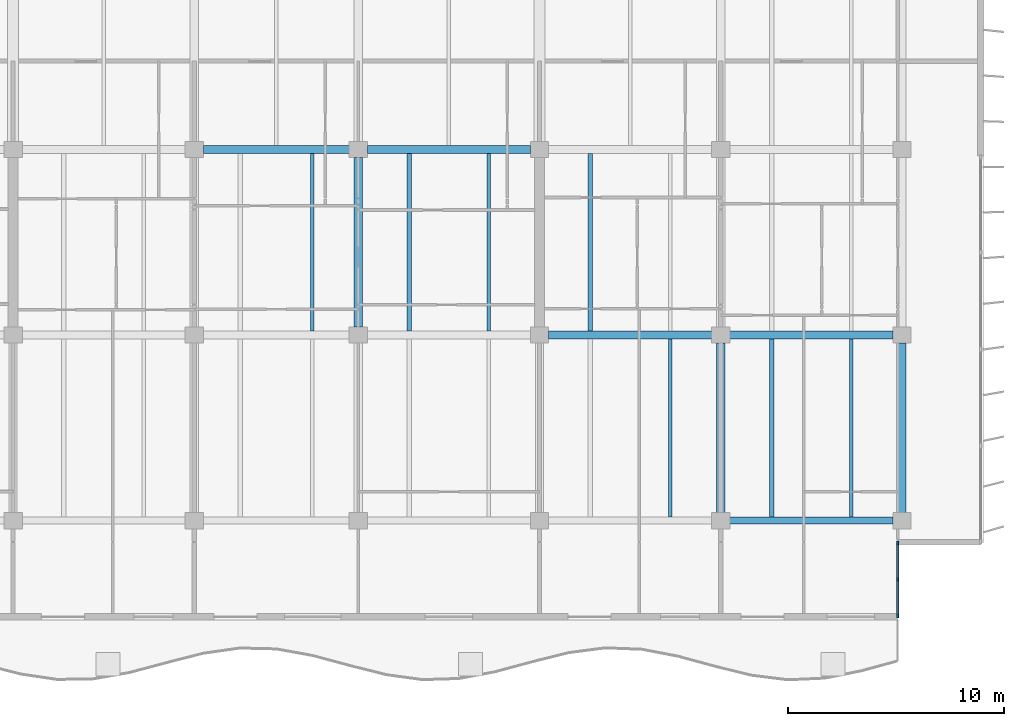
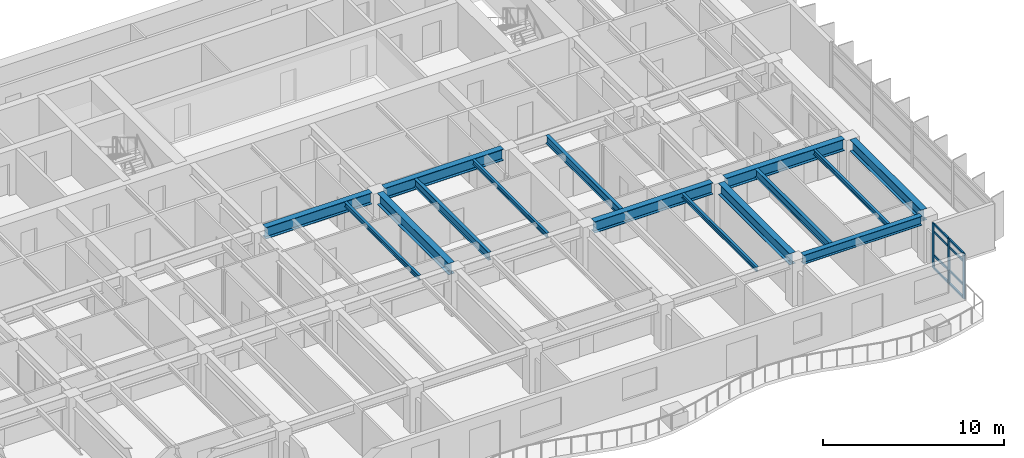
# One storey, part 4 of 19: 15 beams, 11 members, 1 element without a shape of its own.
"""IFC4 building model written with IfcOpenShell, lengths in metres."""

from ifc_helpers import new_model, si_unit, direction, frame, origin, origin_2d, place, context, subcontext, project, spatial, rectangle, i_section, extrude, material, layer, layer_set, material_profile, profile_set, type_object, element, aggregate, save


model = new_model("IFC4")

# Units and contexts
model_context = context("Model", 3, precision=1e-05, world=origin(), true_north=direction((0.0, 1.0)))
body_context = subcontext(model_context, "Body", "Model", "MODEL_VIEW")
ifc_project = project(units=[si_unit("LENGTHUNIT", "METRE"), si_unit("AREAUNIT", "SQUARE_METRE"), si_unit("VOLUMEUNIT", "CUBIC_METRE"), si_unit("PLANEANGLEUNIT", "RADIAN"), si_unit("MASSUNIT", "GRAM", prefix="KILO")], contexts=[model_context])

# Site, building, storey
site_placement = place(None, origin())
site = spatial("IfcSite", under=ifc_project, at=site_placement, CompositionType="ELEMENT")
building_placement = place(site_placement, origin())
building = spatial("IfcBuilding", under=site, at=building_placement, Name="Caelmar Bay Residences", CompositionType="ELEMENT")
storey_placement = place(building_placement, frame((0.0, 0.0, 195.0)))
storey = spatial("IfcBuildingStorey", under=building, at=storey_placement, Name="L54", CompositionType="ELEMENT", Elevation=195.0)

# Beams
ifc_material_1 = material(Name="Steel ASTM A992 Grade 50", Category="steel")
ifc_material_profile_1 = material_profile(ifc_material_1, i_section(OverallWidth=0.381103515625, OverallDepth=0.77197265625, WebThickness=0.0166015625, FlangeThickness=0.027099609375, FilletRadius=0.0166015625, at=origin_2d()), Name="W30X173")
ifc_profile_set_1 = profile_set([ifc_material_profile_1], Name="Steel ASTM A992 Grade 50")
beam_type_1 = type_object("IfcBeamType", Name="BM-GRD-W30X173", PredefinedType="BEAM", material=ifc_profile_set_1)
for number, where, z_axis, x_axis, name in (
    (1, (51.514892578125, 20.800048828125, 2.6640625), (1.0, 0.0, 0.0), (0.0, 1.0, 0.0), "L54 East-West Girder Y=20.80 (51.1-59.5)"),
    (2, (59.9150390625, 20.800048828125, 2.6640625), (1.0, 0.0, 0.0), (0.0, 1.0, 0.0), "L54 East-West Girder Y=20.80 (59.5-67.9)"),
):
    element("IfcBeam", number, at=place(storey_placement, frame(where, z_axis=z_axis, x_axis=x_axis)), inside=storey, type_object=beam_type_1, Name=name, PredefinedType="BEAM", context=body_context, shape_type="SweptSolid", body=[
        extrude(i_section(OverallWidth=0.381103515625, OverallDepth=0.77197265625, WebThickness=0.0166015625, FlangeThickness=0.027099609375, FilletRadius=0.0166015625, at=origin_2d()), origin(), (0.0, 0.0, 1.0), 7.570068359375),
    ])
beam_1_placement = place(storey_placement, frame((35.514892578125, 29.39990234375, 2.6640625), z_axis=(1.0, 0.0, 0.0), x_axis=(0.0, 1.0, 0.0)))
element("IfcBeam", 3, at=beam_1_placement, inside=storey, type_object=beam_type_1, Name="L54 East-West Girder Y=29.40 (35.1-42.7)", PredefinedType="BEAM", context=body_context, shape_type="SweptSolid", body=[
    extrude(i_section(OverallWidth=0.381103515625, OverallDepth=0.77197265625, WebThickness=0.0166015625, FlangeThickness=0.027099609375, FilletRadius=0.0166015625, at=origin_2d()), origin(), (0.0, 0.0, 1.0), 6.77001953125),
])
beam_2_placement = place(storey_placement, frame((43.114990234375, 29.39990234375, 2.6640625), z_axis=(1.0, 0.0, 0.0), x_axis=(0.0, 1.0, 0.0)))
element("IfcBeam", 4, at=beam_2_placement, inside=storey, type_object=beam_type_1, Name="L54 East-West Girder Y=29.40 (42.7-51.1)", PredefinedType="BEAM", context=body_context, shape_type="SweptSolid", body=[
    extrude(i_section(OverallWidth=0.381103515625, OverallDepth=0.77197265625, WebThickness=0.0166015625, FlangeThickness=0.027099609375, FilletRadius=0.0166015625, at=origin_2d()), origin(), (0.0, 0.0, 1.0), 7.570068359375),
])
beam_3_placement = place(storey_placement, frame((42.699951171875, 21.1650390625, 2.6640625), z_axis=(0.0, 1.0, 0.0), x_axis=(-1.0, 0.0, 0.0)))
element("IfcBeam", 5, at=beam_3_placement, inside=storey, type_object=beam_type_1, Name="L54 North-South Girder X=42.70 (20.8-29.4)", PredefinedType="BEAM", context=body_context, shape_type="SweptSolid", body=[
    extrude(i_section(OverallWidth=0.381103515625, OverallDepth=0.77197265625, WebThickness=0.0166015625, FlangeThickness=0.027099609375, FilletRadius=0.0166015625, at=origin_2d()), origin(), (0.0, 0.0, 1.0), 7.869873046875),
])
for number, where, z_axis, x_axis, name in (
    (6, (59.5, 12.56494140625, 2.6640625), (0.0, 1.0, 0.0), (-1.0, 0.0, 0.0), "L54 North-South Girder X=59.50 (12.2-20.8)"),
    (7, (67.89990234375, 12.56494140625, 2.6640625), (0.0, 1.0, 0.0), (-1.0, 0.0, 0.0), "L54 North-South Girder X=67.90 (12.2-20.8)"),
):
    element("IfcBeam", number, at=place(storey_placement, frame(where, z_axis=z_axis, x_axis=x_axis)), inside=storey, type_object=beam_type_1, Name=name, PredefinedType="BEAM", context=body_context, shape_type="SweptSolid", body=[
        extrude(i_section(OverallWidth=0.381103515625, OverallDepth=0.77197265625, WebThickness=0.0166015625, FlangeThickness=0.027099609375, FilletRadius=0.0166015625, at=origin_2d()), origin(), (0.0, 0.0, 1.0), 7.8701171875),
    ])
ifc_material_profile_2 = material_profile(ifc_material_1, i_section(OverallWidth=0.1650390625, OverallDepth=0.31005859375, WebThickness=0.005859375, FlangeThickness=0.009765625, FilletRadius=0.007568359375, at=origin_2d()), Name="W12X26")
ifc_profile_set_2 = profile_set([ifc_material_profile_2], Name="Steel ASTM A992 Grade 50")
beam_type_2 = type_object("IfcBeamType", Name="BM-JST-W12X26", PredefinedType="JOIST", material=ifc_profile_set_2)
for number, where, z_axis, x_axis, name in (
    (8, (57.14794921875, 12.362548828125, 2.89501953125), (0.0, 1.0, 0.0), (-1.0, 0.0, 0.0), "L54 Composite Floor Joist 12"),
    (9, (65.548095703125, 12.362548828125, 2.89501953125), (0.0, 1.0, 0.0), (-1.0, 0.0, 0.0), "L54 Composite Floor Joist 14"),
):
    element("IfcBeam", number, at=place(storey_placement, frame(where, z_axis=z_axis, x_axis=x_axis)), inside=storey, type_object=beam_type_2, Name=name, PredefinedType="JOIST", context=body_context, shape_type="SweptSolid", body=[
        extrude(i_section(OverallWidth=0.1650390625, OverallDepth=0.31005859375, WebThickness=0.005859375, FlangeThickness=0.009765625, FilletRadius=0.007568359375, at=origin_2d()), origin(), (0.0, 0.0, 1.0), 8.2470703125),
    ])
for number, where, z_axis, x_axis, name in (
    (10, (40.572021484375, 20.990478515625, 2.89501953125), (0.0, 1.0, 0.0), (-1.0, 0.0, 0.0), "L54 Composite Floor Joist 22"),
    (11, (48.748046875, 20.990478515625, 2.89501953125), (0.0, 1.0, 0.0), (-1.0, 0.0, 0.0), "L54 Composite Floor Joist 24"),
):
    element("IfcBeam", number, at=place(storey_placement, frame(where, z_axis=z_axis, x_axis=x_axis)), inside=storey, type_object=beam_type_2, Name=name, PredefinedType="JOIST", context=body_context, shape_type="SweptSolid", body=[
        extrude(i_section(OverallWidth=0.1650390625, OverallDepth=0.31005859375, WebThickness=0.005859375, FlangeThickness=0.009765625, FilletRadius=0.007568359375, at=origin_2d()), origin(), (0.0, 0.0, 1.0), 8.218994140625),
    ])
ifc_material_profile_3 = material_profile(ifc_material_1, i_section(OverallWidth=0.2099609375, OverallDepth=0.535888671875, WebThickness=0.010986328125, FlangeThickness=0.017333984375, FilletRadius=0.0126953125, at=origin_2d()), Name="W21X68")
ifc_profile_set_3 = profile_set([ifc_material_profile_3], Name="Steel ASTM A992 Grade 50")
beam_type_3 = type_object("IfcBeamType", Name="BM-JST-W21X68", PredefinedType="JOIST", material=ifc_profile_set_3)
beam_4_placement = place(storey_placement, frame((61.85205078125, 12.362548828125, 2.781982421875), z_axis=(0.0, 1.0, 0.0), x_axis=(-1.0, 0.0, 0.0)))
element("IfcBeam", 12, at=beam_4_placement, inside=storey, type_object=beam_type_3, Name="L54 Composite Floor Joist 13", PredefinedType="JOIST", context=body_context, shape_type="SweptSolid", body=[
    extrude(i_section(OverallWidth=0.2099609375, OverallDepth=0.535888671875, WebThickness=0.010986328125, FlangeThickness=0.017333984375, FilletRadius=0.0126953125, at=origin_2d()), origin(), (0.0, 0.0, 1.0), 8.2470703125),
])
for number, where, z_axis, x_axis, name in (
    (13, (45.052001953125, 20.990478515625, 2.781982421875), (0.0, 1.0, 0.0), (-1.0, 0.0, 0.0), "L54 Composite Floor Joist 23"),
    (14, (53.451904296875, 20.990478515625, 2.781982421875), (0.0, 1.0, 0.0), (-1.0, 0.0, 0.0), "L54 Composite Floor Joist 25"),
):
    element("IfcBeam", number, at=place(storey_placement, frame(where, z_axis=z_axis, x_axis=x_axis)), inside=storey, type_object=beam_type_3, Name=name, PredefinedType="JOIST", context=body_context, shape_type="SweptSolid", body=[
        extrude(i_section(OverallWidth=0.2099609375, OverallDepth=0.535888671875, WebThickness=0.010986328125, FlangeThickness=0.017333984375, FilletRadius=0.0126953125, at=origin_2d()), origin(), (0.0, 0.0, 1.0), 8.218994140625),
    ])
ifc_material_profile_4 = material_profile(ifc_material_1, i_section(OverallWidth=0.324951171875, OverallDepth=0.616943359375, WebThickness=0.013916015625, FlangeThickness=0.021484375, FilletRadius=0.0126953125, at=origin_2d()), Name="W24X117")
ifc_profile_set_4 = profile_set([ifc_material_profile_4], Name="Steel ASTM A992 Grade 50")
beam_type_4 = type_object("IfcBeamType", Name="BM-SPN-W24X117", PredefinedType="SPANDREL", material=ifc_profile_set_4)
beam_5_placement = place(storey_placement, frame((59.9150390625, 12.199951171875, 2.741455078125), z_axis=(1.0, 0.0, 0.0), x_axis=(0.0, 1.0, 0.0)))
element("IfcBeam", 15, at=beam_5_placement, inside=storey, type_object=beam_type_4, Name="L54 East-West Girder Y=12.20 (59.5-67.9)", PredefinedType="SPANDREL", context=body_context, shape_type="SweptSolid", body=[
    extrude(i_section(OverallWidth=0.324951171875, OverallDepth=0.616943359375, WebThickness=0.013916015625, FlangeThickness=0.021484375, FilletRadius=0.0126953125, at=origin_2d()), origin(), (0.0, 0.0, 1.0), 7.570068359375),
])

# Curtain wall, members
ifc_material_2 = material(Name="Anodised bronze aluminium 6063-T6 and laminated glass", Category="aluminium")
ifc_layer = layer(ifc_material_2, 0.179931640625)
ifc_layer_set = layer_set([ifc_layer], Name="Anodised bronze aluminium 6063-T6 and laminated glass")
curtain_wall_type = type_object("IfcCurtainWallType", Name="CW6-NTC", PredefinedType="NOTDEFINED", material=ifc_layer_set)
curtain_wall_placement = place(storey_placement, origin())
curtain_wall = element("IfcCurtainWall", 16, at=curtain_wall_placement, inside=storey, type_object=curtain_wall_type, Name="CW6 curtain wall L54", PredefinedType="NOTDEFINED")
ifc_material_3 = material(Name="Anodised bronze aluminium 6063-T6", Category="aluminium")
ifc_material_profile_5 = material_profile(ifc_material_3, rectangle(XDim=0.080078125, YDim=0.179931640625, at=origin_2d()), Name="CWM-80X180")
ifc_profile_set_5 = profile_set([ifc_material_profile_5], Name="Anodised bronze aluminium 6063-T6")
member_type_1 = type_object("IfcMemberType", Name="CWM-180", PredefinedType="MULLION", material=ifc_profile_set_5)
member_1_placement = place(storey_placement, frame((67.699951171875, 7.7900390625, 0.0), z_axis=(0.0, 0.0, 1.0), x_axis=(-1.0, 0.0, 0.0)))
member_1 = element("IfcMember", 17, at=member_1_placement, type_object=member_type_1, Name="CW6 mullion 1", PredefinedType="MULLION", context=body_context, shape_type="SweptSolid", body=[
    extrude(rectangle(XDim=0.080078125, YDim=0.179931640625, at=origin_2d()), origin(), (0.0, 0.0, 1.0), 3.050048828125),
])
member_2_placement = place(storey_placement, frame((67.699951171875, 9.47509765625, 0.0), z_axis=(0.0, 0.0, 1.0), x_axis=(-1.0, 0.0, 0.0)))
member_2 = element("IfcMember", 18, at=member_2_placement, type_object=member_type_1, Name="CW6 mullion 2", PredefinedType="MULLION", context=body_context, shape_type="SweptSolid", body=[
    extrude(rectangle(XDim=0.080078125, YDim=0.179931640625, at=origin_2d()), origin(), (0.0, 0.0, 1.0), 3.050048828125),
])
member_3_placement = place(storey_placement, frame((67.699951171875, 11.159912109375, 0.0), z_axis=(0.0, 0.0, 1.0), x_axis=(-1.0, 0.0, 0.0)))
member_3 = element("IfcMember", 19, at=member_3_placement, type_object=member_type_1, Name="CW6 mullion 3", PredefinedType="MULLION", context=body_context, shape_type="SweptSolid", body=[
    extrude(rectangle(XDim=0.080078125, YDim=0.179931640625, at=origin_2d()), origin(), (0.0, 0.0, 1.0), 3.050048828125),
])
ifc_material_profile_6 = material_profile(ifc_material_3, rectangle(XDim=0.080078125, YDim=0.139892578125, at=origin_2d()), Name="CWT-80X140")
ifc_profile_set_6 = profile_set([ifc_material_profile_6], Name="Anodised bronze aluminium 6063-T6")
member_type_2 = type_object("IfcMemberType", Name="CWT-140", PredefinedType="NOTDEFINED", material=ifc_profile_set_6)
member_4_placement = place(storey_placement, frame((67.699951171875, 7.830078125, 0.0400390625), z_axis=(0.0, 1.0, 0.0), x_axis=(-1.0, 0.0, 0.0)))
member_4 = element("IfcMember", 20, at=member_4_placement, type_object=member_type_2, Name="CW6 transom 1.1", ObjectType="TRANSOM", PredefinedType="USERDEFINED", context=body_context, shape_type="SweptSolid", body=[
    extrude(rectangle(XDim=0.080078125, YDim=0.139892578125, at=origin_2d()), origin(), (0.0, 0.0, 1.0), 1.60498046875),
])
member_5_placement = place(storey_placement, frame((67.699951171875, 7.830078125, 0.89990234375), z_axis=(0.0, 1.0, 0.0), x_axis=(-1.0, 0.0, 0.0)))
member_5 = element("IfcMember", 21, at=member_5_placement, type_object=member_type_2, Name="CW6 transom 1.2", ObjectType="TRANSOM", PredefinedType="USERDEFINED", context=body_context, shape_type="SweptSolid", body=[
    extrude(rectangle(XDim=0.080078125, YDim=0.139892578125, at=origin_2d()), origin(), (0.0, 0.0, 1.0), 1.60498046875),
])
member_6_placement = place(storey_placement, frame((67.699951171875, 7.830078125, 2.5), z_axis=(0.0, 1.0, 0.0), x_axis=(-1.0, 0.0, 0.0)))
member_6 = element("IfcMember", 22, at=member_6_placement, type_object=member_type_2, Name="CW6 transom 1.3", ObjectType="TRANSOM", PredefinedType="USERDEFINED", context=body_context, shape_type="SweptSolid", body=[
    extrude(rectangle(XDim=0.080078125, YDim=0.139892578125, at=origin_2d()), origin(), (0.0, 0.0, 1.0), 1.60498046875),
])
member_7_placement = place(storey_placement, frame((67.699951171875, 7.830078125, 3.010009765625), z_axis=(0.0, 1.0, 0.0), x_axis=(-1.0, 0.0, 0.0)))
member_7 = element("IfcMember", 23, at=member_7_placement, type_object=member_type_2, Name="CW6 transom 1.4", ObjectType="TRANSOM", PredefinedType="USERDEFINED", context=body_context, shape_type="SweptSolid", body=[
    extrude(rectangle(XDim=0.080078125, YDim=0.139892578125, at=origin_2d()), origin(), (0.0, 0.0, 1.0), 1.60498046875),
])
member_8_placement = place(storey_placement, frame((67.699951171875, 9.514892578125, 0.0400390625), z_axis=(0.0, 1.0, 0.0), x_axis=(-1.0, 0.0, 0.0)))
member_8 = element("IfcMember", 24, at=member_8_placement, type_object=member_type_2, Name="CW6 transom 2.1", ObjectType="TRANSOM", PredefinedType="USERDEFINED", context=body_context, shape_type="SweptSolid", body=[
    extrude(rectangle(XDim=0.080078125, YDim=0.139892578125, at=origin_2d()), origin(), (0.0, 0.0, 1.0), 1.605224609375),
])
member_9_placement = place(storey_placement, frame((67.699951171875, 9.514892578125, 0.89990234375), z_axis=(0.0, 1.0, 0.0), x_axis=(-1.0, 0.0, 0.0)))
member_9 = element("IfcMember", 25, at=member_9_placement, type_object=member_type_2, Name="CW6 transom 2.2", ObjectType="TRANSOM", PredefinedType="USERDEFINED", context=body_context, shape_type="SweptSolid", body=[
    extrude(rectangle(XDim=0.080078125, YDim=0.139892578125, at=origin_2d()), origin(), (0.0, 0.0, 1.0), 1.605224609375),
])
member_10_placement = place(storey_placement, frame((67.699951171875, 9.514892578125, 2.5), z_axis=(0.0, 1.0, 0.0), x_axis=(-1.0, 0.0, 0.0)))
member_10 = element("IfcMember", 26, at=member_10_placement, type_object=member_type_2, Name="CW6 transom 2.3", ObjectType="TRANSOM", PredefinedType="USERDEFINED", context=body_context, shape_type="SweptSolid", body=[
    extrude(rectangle(XDim=0.080078125, YDim=0.139892578125, at=origin_2d()), origin(), (0.0, 0.0, 1.0), 1.605224609375),
])
member_11_placement = place(storey_placement, frame((67.699951171875, 9.514892578125, 3.010009765625), z_axis=(0.0, 1.0, 0.0), x_axis=(-1.0, 0.0, 0.0)))
member_11 = element("IfcMember", 27, at=member_11_placement, type_object=member_type_2, Name="CW6 transom 2.4", ObjectType="TRANSOM", PredefinedType="USERDEFINED", context=body_context, shape_type="SweptSolid", body=[
    extrude(rectangle(XDim=0.080078125, YDim=0.139892578125, at=origin_2d()), origin(), (0.0, 0.0, 1.0), 1.605224609375),
])
aggregate(curtain_wall, [member_1, member_2, member_3, member_4, member_5, member_6, member_7, member_8, member_9, member_10, member_11])

save(model, "model.ifc")
